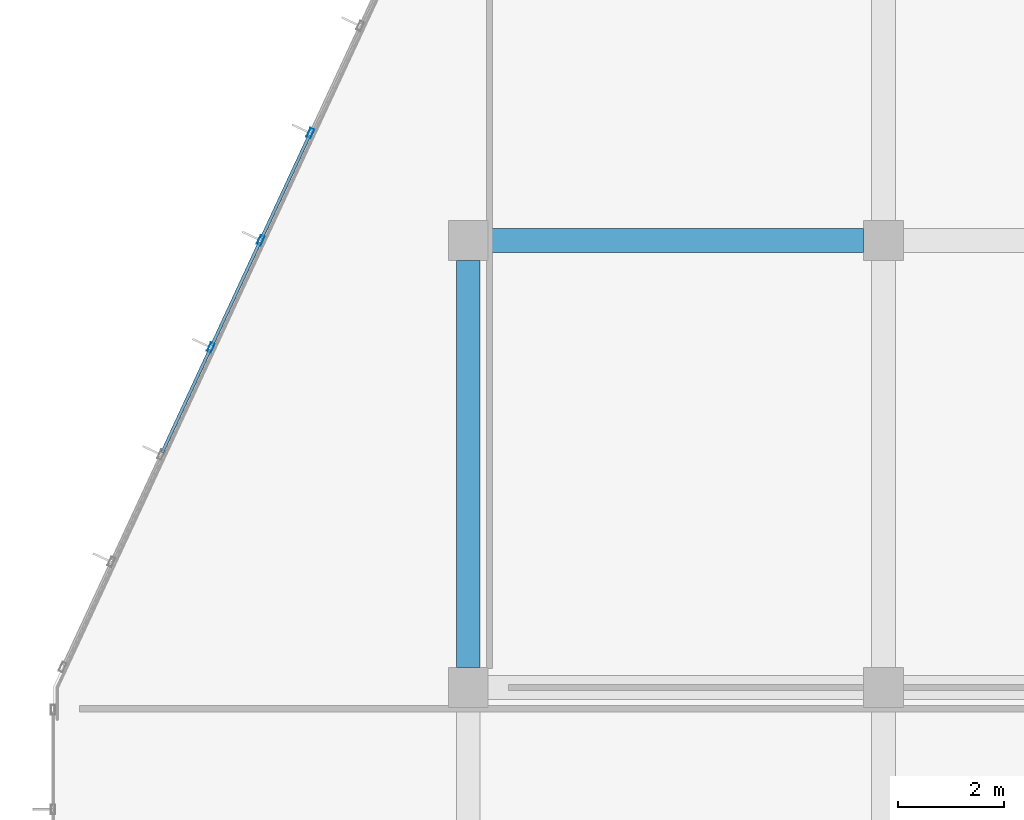
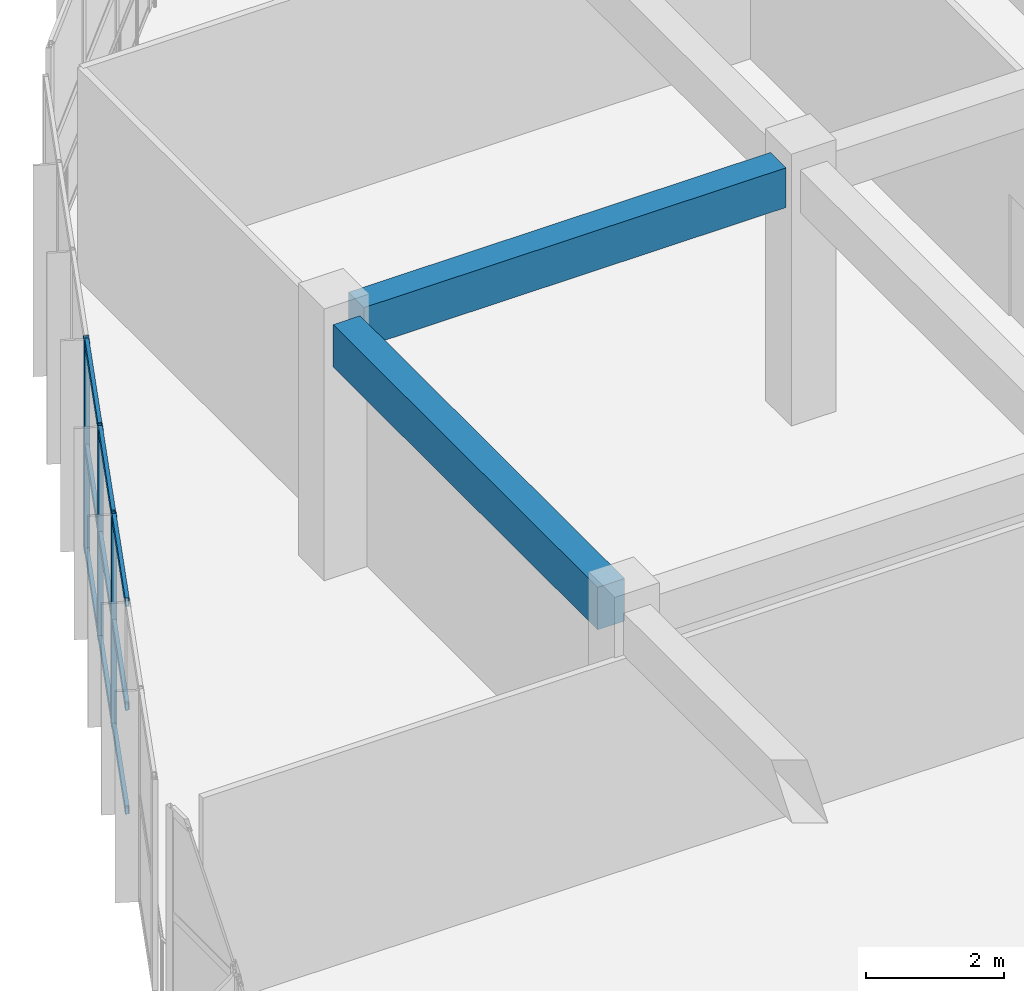
# One storey, part 21 of 167: 12 members, 2 beams, 1 element without a shape of its own.
"""IFC4 building model written with IfcOpenShell, lengths in metres."""

from ifc_helpers import new_model, si_unit, direction, frame, origin, origin_2d, place, context, subcontext, project, spatial, rectangle, hollow_rectangle, extrude, material, layer, layer_set, material_profile, profile_set, type_object, element, aggregate, save


model = new_model("IFC4")

# Units and contexts
model_context = context("Model", 3, precision=1e-05, world=origin(), true_north=direction((0.0, 1.0)))
body_context = subcontext(model_context, "Body", "Model", "MODEL_VIEW")
ifc_project = project(units=[si_unit("LENGTHUNIT", "METRE"), si_unit("AREAUNIT", "SQUARE_METRE"), si_unit("VOLUMEUNIT", "CUBIC_METRE"), si_unit("PLANEANGLEUNIT", "RADIAN"), si_unit("MASSUNIT", "GRAM", prefix="KILO")], contexts=[model_context])

# Site, building, storey
site_placement = place(None, origin())
site = spatial("IfcSite", under=ifc_project, at=site_placement, CompositionType="ELEMENT")
building_placement = place(site_placement, origin())
building = spatial("IfcBuilding", under=site, at=building_placement, Name="Zizhar Promenade General Hospital", CompositionType="ELEMENT")
storey_placement = place(building_placement, frame((0.0, 0.0, 9.60009765625)))
storey = spatial("IfcBuildingStorey", under=building, at=storey_placement, Name="L02", CompositionType="ELEMENT", Elevation=9.60009765625)

# Beams
ifc_material_1 = material(Name="Concrete C35/45", Category="concrete")
ifc_material_profile_1 = material_profile(ifc_material_1, rectangle(XDim=0.449951171875, YDim=0.699951171875, at=origin_2d()))
ifc_profile_set_1 = profile_set([ifc_material_profile_1], Name="Concrete C35/45")
beam_type_1 = type_object("IfcBeamType", Name="BM-RC-450x700", PredefinedType="BEAM", material=ifc_profile_set_1)
beam_1_placement = place(storey_placement, frame((8.175048828125, 58.800048828125, 4.119873046875), z_axis=(1.0, 0.0, 0.0), x_axis=(0.0, 1.0, 0.0)))
element("IfcBeam", 1, at=beam_1_placement, inside=storey, type_object=beam_type_1, Name="Grid Beam X L02 (1-7)", PredefinedType="BEAM", context=body_context, shape_type="SweptSolid", body=[
    extrude(rectangle(XDim=0.449951171875, YDim=0.699951171875, at=origin_2d()), origin(), (0.0, 0.0, 1.0), 7.050048828125),
])
ifc_material_2 = material(Name="Concrete C35/45", Category="concrete")
ifc_material_profile_2 = material_profile(ifc_material_2, rectangle(XDim=0.449951171875, YDim=0.75, at=origin_2d()))
ifc_profile_set_2 = profile_set([ifc_material_profile_2], Name="Concrete C35/45")
beam_type_2 = type_object("IfcBeamType", Name="BM-RC-450x750", PredefinedType="BEAM", material=ifc_profile_set_2)
beam_2_placement = place(storey_placement, frame((7.800048828125, 50.77490234375, 4.094970703125), z_axis=(0.0, 1.0, 0.0), x_axis=(-1.0, 0.0, 0.0)))
element("IfcBeam", 2, at=beam_2_placement, inside=storey, type_object=beam_type_2, Name="Grid Beam Y L02 (1-6)", PredefinedType="BEAM", context=body_context, shape_type="SweptSolid", body=[
    extrude(rectangle(XDim=0.449951171875, YDim=0.75, at=origin_2d()), origin(), (0.0, 0.0, 1.0), 7.650146484375),
])

# Curtain wall, members
ifc_material_3 = material(Name="Anodised aluminium 6063-T6 and low-E glass", Category="aluminium")
ifc_layer = layer(ifc_material_3, 0.159912109375)
ifc_layer_set = layer_set([ifc_layer], Name="Anodised aluminium 6063-T6 and low-E glass")
curtain_wall_type = type_object("IfcCurtainWallType", Name="CW-DT-MOD2", PredefinedType="NOTDEFINED", material=ifc_layer_set)
curtain_wall_placement = place(storey_placement, origin())
curtain_wall = element("IfcCurtainWall", 3, at=curtain_wall_placement, inside=storey, type_object=curtain_wall_type, Name="West Diagnostic Arm Glazed Curtain Wall L02-NW1", PredefinedType="NOTDEFINED")
ifc_material_4 = material(Name="Anodised aluminium 6063-T6", Category="aluminium")
ifc_material_profile_3 = material_profile(ifc_material_4, hollow_rectangle(XDim=0.080078125, YDim=0.179931640625, WallThickness=0.0048828125, at=origin_2d()))
ifc_profile_set_3 = profile_set([ifc_material_profile_3], Name="Anodised aluminium 6063-T6")
member_type_1 = type_object("IfcMemberType", Name="CWM-ALU-180x80", PredefinedType="MULLION", material=ifc_profile_set_3)
member_1_placement = place(storey_placement, frame((2.965087890625, 56.7861328125, 0.0), z_axis=(0.0, 0.0, 1.0), x_axis=(-0.907007278189, 0.421114945486, 0.0)))
member_1 = element("IfcMember", 4, at=member_1_placement, type_object=member_type_1, Name="CW-08 mullion 4", PredefinedType="MULLION", context=body_context, shape_type="SweptSolid", body=[
    extrude(hollow_rectangle(XDim=0.080078125, YDim=0.179931640625, WallThickness=0.0048828125, at=origin_2d()), origin(), (0.0, 0.0, 1.0), 3.72998046875),
])
member_2_placement = place(storey_placement, frame((3.89990234375, 58.800048828125, 0.0), z_axis=(0.0, 0.0, 1.0), x_axis=(-0.907007278189, 0.421114945486, 0.0)))
member_2 = element("IfcMember", 5, at=member_2_placement, type_object=member_type_1, Name="CW-08 mullion 5", PredefinedType="MULLION", context=body_context, shape_type="SweptSolid", body=[
    extrude(hollow_rectangle(XDim=0.080078125, YDim=0.179931640625, WallThickness=0.0048828125, at=origin_2d()), origin(), (0.0, 0.0, 1.0), 3.72998046875),
])
member_3_placement = place(storey_placement, frame((4.8349609375, 60.813720703125, 0.0), z_axis=(0.0, 0.0, 1.0), x_axis=(-0.907007278189, 0.421114945486, 0.0)))
member_3 = element("IfcMember", 6, at=member_3_placement, type_object=member_type_1, Name="CW-08 mullion 6", PredefinedType="MULLION", context=body_context, shape_type="SweptSolid", body=[
    extrude(hollow_rectangle(XDim=0.080078125, YDim=0.179931640625, WallThickness=0.0048828125, at=origin_2d()), origin(), (0.0, 0.0, 1.0), 3.72998046875),
])
ifc_material_5 = material(Name="Anodised aluminium 6063-T6", Category="aluminium")
ifc_material_profile_4 = material_profile(ifc_material_5, hollow_rectangle(XDim=0.06005859375, YDim=0.14990234375, WallThickness=0.00390625, at=origin_2d()))
ifc_profile_set_4 = profile_set([ifc_material_profile_4], Name="Anodised aluminium 6063-T6")
member_type_2 = type_object("IfcMemberType", Name="CWT-ALU-150x60", PredefinedType="USERDEFINED", material=ifc_profile_set_4)
member_4_placement = place(storey_placement, frame((2.046875, 54.80859375, 0.02978515625), z_axis=(0.421111306455, 0.907008967748, 0.0), x_axis=(-0.907008967748, 0.421111306455, 0.0)))
member_4 = element("IfcMember", 7, at=member_4_placement, type_object=member_type_2, Name="CW-08 transom 3.1", ObjectType="TRANSOM", PredefinedType="USERDEFINED", context=body_context, shape_type="SweptSolid", body=[
    extrude(hollow_rectangle(XDim=0.06005859375, YDim=0.14990234375, WallThickness=0.00390625, at=origin_2d()), origin(), (0.0, 0.0, 1.0), 2.140380859375),
])
member_5_placement = place(storey_placement, frame((2.046875, 54.80859375, 1.864990234375), z_axis=(0.421111306455, 0.907008967748, 0.0), x_axis=(-0.907008967748, 0.421111306455, 0.0)))
member_5 = element("IfcMember", 8, at=member_5_placement, type_object=member_type_2, Name="CW-08 transom 3.2", ObjectType="TRANSOM", PredefinedType="USERDEFINED", context=body_context, shape_type="SweptSolid", body=[
    extrude(hollow_rectangle(XDim=0.06005859375, YDim=0.14990234375, WallThickness=0.00390625, at=origin_2d()), origin(), (0.0, 0.0, 1.0), 2.140380859375),
])
member_6_placement = place(storey_placement, frame((2.046875, 54.80859375, 3.699951171875), z_axis=(0.421111306455, 0.907008967748, 0.0), x_axis=(-0.907008967748, 0.421111306455, 0.0)))
member_6 = element("IfcMember", 9, at=member_6_placement, type_object=member_type_2, Name="CW-08 transom 3.3", ObjectType="TRANSOM", PredefinedType="USERDEFINED", context=body_context, shape_type="SweptSolid", body=[
    extrude(hollow_rectangle(XDim=0.06005859375, YDim=0.14990234375, WallThickness=0.00390625, at=origin_2d()), origin(), (0.0, 0.0, 1.0), 2.140380859375),
])
member_7_placement = place(storey_placement, frame((2.98193359375, 56.822509765625, 0.02978515625), z_axis=(0.421061030193, 0.907032308605, 0.0), x_axis=(-0.907032308605, 0.421061030193, 0.0)))
member_7 = element("IfcMember", 10, at=member_7_placement, type_object=member_type_2, Name="CW-08 transom 4.1", ObjectType="TRANSOM", PredefinedType="USERDEFINED", context=body_context, shape_type="SweptSolid", body=[
    extrude(hollow_rectangle(XDim=0.06005859375, YDim=0.14990234375, WallThickness=0.00390625, at=origin_2d()), origin(), (0.0, 0.0, 1.0), 2.14013671875),
])
member_8_placement = place(storey_placement, frame((2.98193359375, 56.822509765625, 1.864990234375), z_axis=(0.421061030193, 0.907032308605, 0.0), x_axis=(-0.907032308605, 0.421061030193, 0.0)))
member_8 = element("IfcMember", 11, at=member_8_placement, type_object=member_type_2, Name="CW-08 transom 4.2", ObjectType="TRANSOM", PredefinedType="USERDEFINED", context=body_context, shape_type="SweptSolid", body=[
    extrude(hollow_rectangle(XDim=0.06005859375, YDim=0.14990234375, WallThickness=0.00390625, at=origin_2d()), origin(), (0.0, 0.0, 1.0), 2.14013671875),
])
member_9_placement = place(storey_placement, frame((2.98193359375, 56.822509765625, 3.699951171875), z_axis=(0.421061030193, 0.907032308605, 0.0), x_axis=(-0.907032308605, 0.421061030193, 0.0)))
member_9 = element("IfcMember", 12, at=member_9_placement, type_object=member_type_2, Name="CW-08 transom 4.3", ObjectType="TRANSOM", PredefinedType="USERDEFINED", context=body_context, shape_type="SweptSolid", body=[
    extrude(hollow_rectangle(XDim=0.06005859375, YDim=0.14990234375, WallThickness=0.00390625, at=origin_2d()), origin(), (0.0, 0.0, 1.0), 2.14013671875),
])
member_10_placement = place(storey_placement, frame((3.916748046875, 58.836181640625, 0.02978515625), z_axis=(0.421111306455, 0.907008967748, 0.0), x_axis=(-0.907008967748, 0.421111306455, 0.0)))
member_10 = element("IfcMember", 13, at=member_10_placement, type_object=member_type_2, Name="CW-08 transom 5.1", ObjectType="TRANSOM", PredefinedType="USERDEFINED", context=body_context, shape_type="SweptSolid", body=[
    extrude(hollow_rectangle(XDim=0.06005859375, YDim=0.14990234375, WallThickness=0.00390625, at=origin_2d()), origin(), (0.0, 0.0, 1.0), 2.140380859375),
])
member_11_placement = place(storey_placement, frame((3.916748046875, 58.836181640625, 1.864990234375), z_axis=(0.421111306455, 0.907008967748, 0.0), x_axis=(-0.907008967748, 0.421111306455, 0.0)))
member_11 = element("IfcMember", 14, at=member_11_placement, type_object=member_type_2, Name="CW-08 transom 5.2", ObjectType="TRANSOM", PredefinedType="USERDEFINED", context=body_context, shape_type="SweptSolid", body=[
    extrude(hollow_rectangle(XDim=0.06005859375, YDim=0.14990234375, WallThickness=0.00390625, at=origin_2d()), origin(), (0.0, 0.0, 1.0), 2.140380859375),
])
member_12_placement = place(storey_placement, frame((3.916748046875, 58.836181640625, 3.699951171875), z_axis=(0.421111306455, 0.907008967748, 0.0), x_axis=(-0.907008967748, 0.421111306455, 0.0)))
member_12 = element("IfcMember", 15, at=member_12_placement, type_object=member_type_2, Name="CW-08 transom 5.3", ObjectType="TRANSOM", PredefinedType="USERDEFINED", context=body_context, shape_type="SweptSolid", body=[
    extrude(hollow_rectangle(XDim=0.06005859375, YDim=0.14990234375, WallThickness=0.00390625, at=origin_2d()), origin(), (0.0, 0.0, 1.0), 2.140380859375),
])
aggregate(curtain_wall, [member_1, member_2, member_3, member_4, member_5, member_6, member_7, member_8, member_9, member_10, member_11, member_12])

save(model, "model.ifc")
